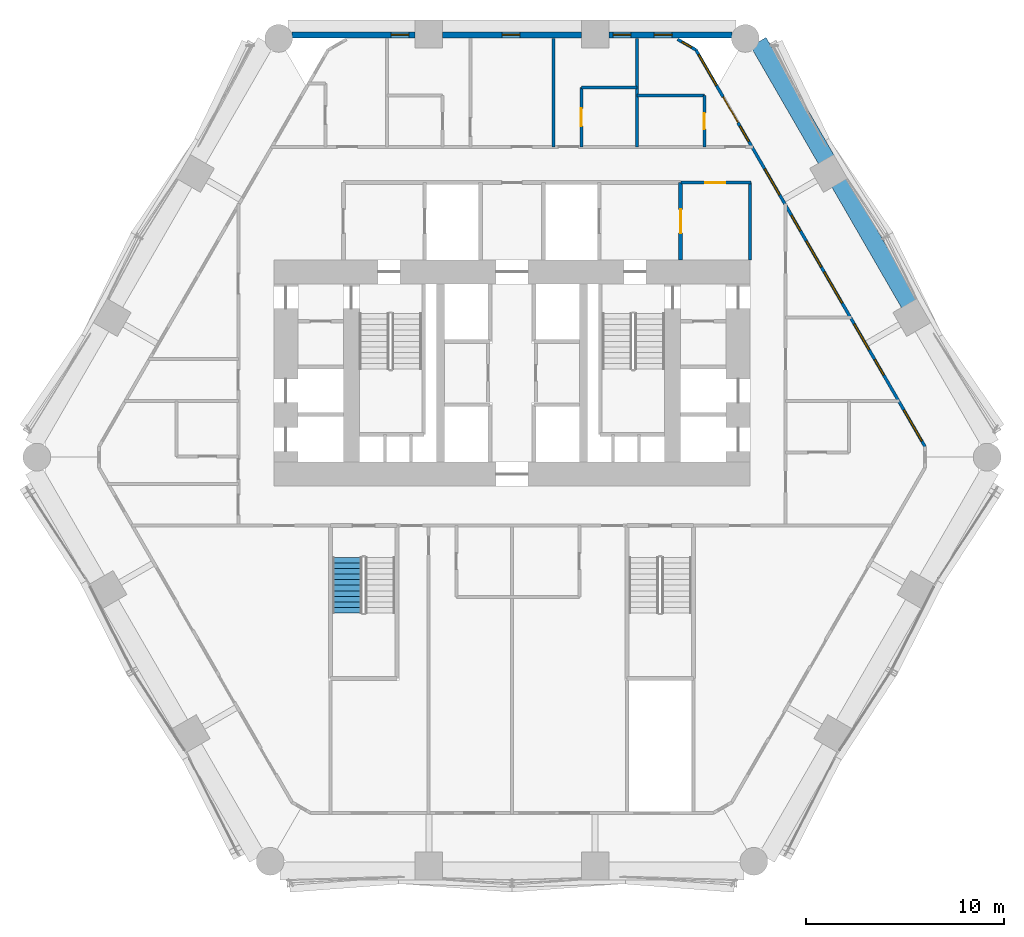
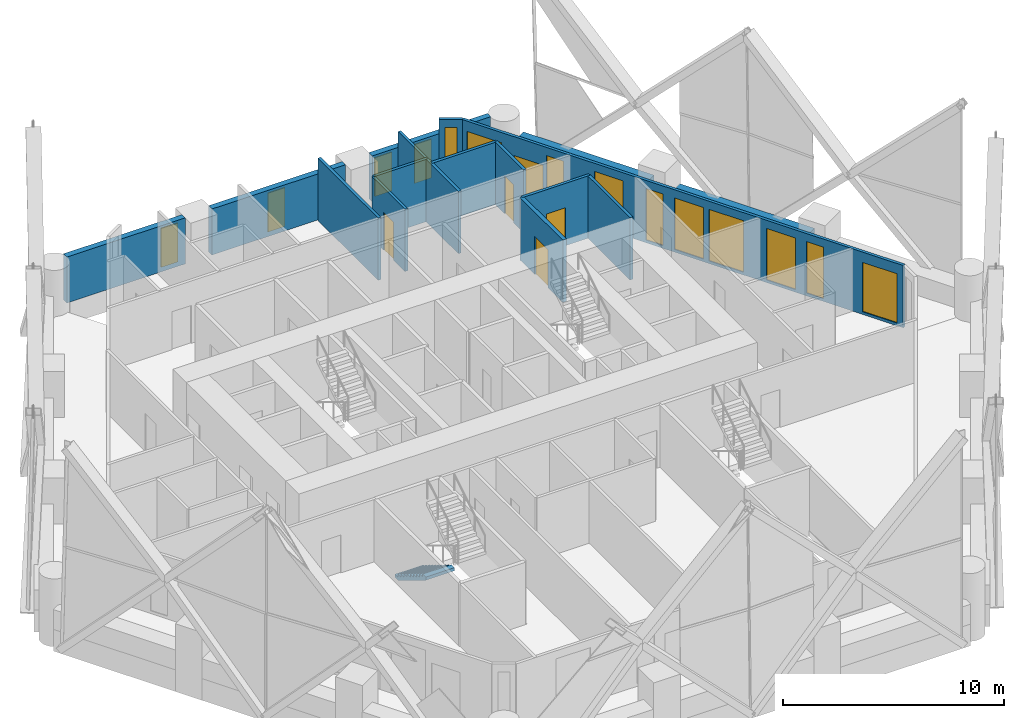
# One storey, part 15 of 22: 16 walls, 14 windows, 5 doors, 1 stair flight, 19 openings, 1 element without a shape of its own.
"""IFC4 building model written with IfcOpenShell, lengths in metres."""

from ifc_helpers import new_model, si_unit, direction, frame, frame_2d, origin, place, context, subcontext, project, spatial, polyline, rectangle, outline, extrude, material, layer, layer_set, type_object, element, fill, aggregate, save


model = new_model("IFC4")

# Units and contexts
model_context = context("Model", 3, precision=1e-05, world=origin(), true_north=direction((0.0, 1.0)))
body_context = subcontext(model_context, "Body", "Model", "MODEL_VIEW")
ifc_project = project(units=[si_unit("LENGTHUNIT", "METRE"), si_unit("AREAUNIT", "SQUARE_METRE"), si_unit("VOLUMEUNIT", "CUBIC_METRE"), si_unit("PLANEANGLEUNIT", "RADIAN"), si_unit("MASSUNIT", "GRAM", prefix="KILO")], contexts=[model_context])

# Site, building, storey
site_placement = place(None, origin())
site = spatial("IfcSite", under=ifc_project, at=site_placement, CompositionType="ELEMENT")
building_placement = place(site_placement, origin())
building = spatial("IfcBuilding", under=site, at=building_placement, Name="Ostrander Bayou Hotel Tower", CompositionType="ELEMENT")
storey_placement = place(building_placement, frame((0.0, 0.0, 46.75)))
storey = spatial("IfcBuildingStorey", under=building, at=storey_placement, Name="L11", CompositionType="ELEMENT", Elevation=46.75)

# Wall, openings, door, windows
ifc_material_1 = material(Name="Aluminium framed insulated wall", Category="aluminium")
ifc_layer_1 = layer(ifc_material_1, 0.14990234375)
ifc_layer_set_1 = layer_set([ifc_layer_1], Name="GW1 glass-line wall 150 mm")
wall_type_1 = type_object("IfcWallType", Name="GW1 glass-line wall 150 mm", PredefinedType="SOLIDWALL", material=ifc_layer_set_1)
wall_1_placement = place(storey_placement, frame((20.826171875, 0.287109375, 0.0), z_axis=(0.0, 0.0, 1.0), x_axis=(-0.500006057782, 0.866021906294, 0.0)))
wall_1 = element("IfcWall", 1, at=wall_1_placement, inside=storey, type_object=wall_type_1, Name="GW1 L11 NE 1", PredefinedType="SOLIDWALL", context=body_context, shape_type="SweptSolid", body=[
    extrude(rectangle(XDim=23.100341796875, YDim=0.14990234375, at=frame_2d((11.55029296875, 0.0))), origin(), (0.0, 0.0, 1.0), 3.449951171875),
])
opening_1_placement = place(wall_1_placement, frame((4.16455078125, 0.0, 0.14990234375)))
opening_1 = element("IfcOpeningElement", 2, at=opening_1_placement, cuts=wall_1, Name="Opening W15", PredefinedType="OPENING", context=body_context, shape_type="SweptSolid", body=[
    extrude(rectangle(XDim=0.89990234375, YDim=2.85009765625, at=frame_2d((0.449951171875, 1.425048828125))), frame((0.0, 0.074951171875, 0.0), z_axis=(0.0, -1.0, 0.0), x_axis=(1.0, 0.0, 0.0)), (0.0, 0.0, 1.0), 0.14990234375),
])
opening_2_placement = place(wall_1_placement, frame((5.64453125, 0.0, 0.14990234375)))
opening_2 = element("IfcOpeningElement", 3, at=opening_2_placement, cuts=wall_1, Name="Opening W11", PredefinedType="OPENING", context=body_context, shape_type="SweptSolid", body=[
    extrude(rectangle(XDim=1.5, YDim=2.85009765625, at=frame_2d((0.75, 1.425048828125))), frame((0.0, 0.074951171875, 0.0), z_axis=(0.0, -1.0, 0.0), x_axis=(1.0, 0.0, 0.0)), (0.0, 0.0, 1.0), 0.14990234375),
])
opening_3_placement = place(wall_1_placement, frame((8.364501953125, 0.0, 0.14990234375)))
opening_3 = element("IfcOpeningElement", 4, at=opening_3_placement, cuts=wall_1, Name="Opening W1", PredefinedType="OPENING", context=body_context, shape_type="SweptSolid", body=[
    extrude(rectangle(XDim=1.800048828125, YDim=2.85009765625, at=frame_2d((0.89990234375, 1.425048828125))), frame((0.0, 0.074951171875, 0.0), z_axis=(0.0, -1.0, 0.0), x_axis=(1.0, 0.0, 0.0)), (0.0, 0.0, 1.0), 0.14990234375),
])
opening_4_placement = place(wall_1_placement, frame((10.464599609375, 0.0, 0.14990234375)))
opening_4 = element("IfcOpeningElement", 5, at=opening_4_placement, cuts=wall_1, Name="Opening W11", PredefinedType="OPENING", context=body_context, shape_type="SweptSolid", body=[
    extrude(rectangle(XDim=1.5, YDim=2.85009765625, at=frame_2d((0.75, 1.425048828125))), frame((0.0, 0.074951171875, 0.0), z_axis=(0.0, -1.0, 0.0), x_axis=(1.0, 0.0, 0.0)), (0.0, 0.0, 1.0), 0.14990234375),
])
opening_5_placement = place(wall_1_placement, frame((12.564453125, 0.0, 0.14990234375)))
opening_5 = element("IfcOpeningElement", 6, at=opening_5_placement, cuts=wall_1, Name="Opening W15", PredefinedType="OPENING", context=body_context, shape_type="SweptSolid", body=[
    extrude(rectangle(XDim=0.89990234375, YDim=2.85009765625, at=frame_2d((0.449951171875, 1.425048828125))), frame((0.0, 0.074951171875, 0.0), z_axis=(0.0, -1.0, 0.0), x_axis=(1.0, 0.0, 0.0)), (0.0, 0.0, 1.0), 0.14990234375),
])
opening_6_placement = place(wall_1_placement, frame((14.66455078125, 0.0, 0.14990234375)))
opening_6 = element("IfcOpeningElement", 7, at=opening_6_placement, cuts=wall_1, Name="Opening W11", PredefinedType="OPENING", context=body_context, shape_type="SweptSolid", body=[
    extrude(rectangle(XDim=1.5, YDim=2.85009765625, at=frame_2d((0.75, 1.425048828125))), frame((0.0, 0.074951171875, 0.0), z_axis=(0.0, -1.0, 0.0), x_axis=(1.0, 0.0, 0.0)), (0.0, 0.0, 1.0), 0.14990234375),
])
opening_7_placement = place(wall_1_placement, frame((17.77490234375, 0.0, 0.14990234375)))
opening_7 = element("IfcOpeningElement", 8, at=opening_7_placement, cuts=wall_1, Name="Opening W15", PredefinedType="OPENING", context=body_context, shape_type="SweptSolid", body=[
    extrude(rectangle(XDim=0.89990234375, YDim=2.85009765625, at=frame_2d((0.449951171875, 1.425048828125))), frame((0.0, 0.074951171875, 0.0), z_axis=(0.0, -1.0, 0.0), x_axis=(1.0, 0.0, 0.0)), (0.0, 0.0, 1.0), 0.14990234375),
])
opening_8_placement = place(wall_1_placement, frame((18.864501953125, 0.0, 0.0)))
opening_8 = element("IfcOpeningElement", 9, at=opening_8_placement, cuts=wall_1, Name="Opening T09-808", PredefinedType="OPENING", context=body_context, shape_type="SweptSolid", body=[
    extrude(rectangle(XDim=1.5, YDim=2.39990234375, at=frame_2d((0.75, 1.199951171875))), frame((0.0, 0.074951171875, 0.0), z_axis=(0.0, -1.0, 0.0), x_axis=(1.0, 0.0, 0.0)), (0.0, 0.0, 1.0), 0.14990234375),
])
opening_9_placement = place(wall_1_placement, frame((0.322265625, 0.0, 0.14990234375)))
opening_9 = element("IfcOpeningElement", 10, at=opening_9_placement, cuts=wall_1, Name="Opening W1", PredefinedType="OPENING", context=body_context, shape_type="SweptSolid", body=[
    extrude(rectangle(XDim=1.800048828125, YDim=2.72998046875, at=frame_2d((0.89990234375, 1.364990234375))), frame((0.0, 0.074951171875, 0.0), z_axis=(0.0, -1.0, 0.0), x_axis=(1.0, 0.0, 0.0)), (0.0, 0.0, 1.0), 0.14990234375),
])
opening_10_placement = place(wall_1_placement, frame((21.032470703125, 0.0, 0.14990234375)))
opening_10 = element("IfcOpeningElement", 11, at=opening_10_placement, cuts=wall_1, Name="Opening W1", PredefinedType="OPENING", context=body_context, shape_type="SweptSolid", body=[
    extrude(rectangle(XDim=1.800048828125, YDim=2.72998046875, at=frame_2d((0.89990234375, 1.364990234375))), frame((0.0, 0.074951171875, 0.0), z_axis=(0.0, -1.0, 0.0), x_axis=(1.0, 0.0, 0.0)), (0.0, 0.0, 1.0), 0.14990234375),
])
ifc_material_2 = material(Name="Aluminium and clear glass", Category="aluminium")
door_type_1 = type_object("IfcDoorType", Name="SD1 sliding glass door 1500 mm, zone 1", OperationType="SLIDING_TO_LEFT", PredefinedType="DOOR", material=ifc_material_2)
door_1_placement = place(opening_8_placement, origin())
door_1 = element("IfcDoor", 12, at=door_1_placement, inside=storey, type_object=door_type_1, Name="SD1 L11 NE 5", OperationType="SLIDING_TO_LEFT", OverallHeight=2.39990234375, OverallWidth=1.5, PredefinedType="DOOR", context=body_context, shape_type="SweptSolid", body=[
    extrude(rectangle(XDim=1.5, YDim=2.39990234375, at=frame_2d((0.75, 1.199951171875))), frame((0.0, 0.02490234375, 0.0), z_axis=(0.0, -1.0, 0.0), x_axis=(1.0, 0.0, 0.0)), (0.0, 0.0, 1.0), 0.050048828125),
])
fill(opening_8, door_1)
ifc_material_3 = material(Name="Aluminium and clear glass", Category="aluminium")
window_type_1 = type_object("IfcWindowType", Name="W1 fixed window 1800 mm, zone 1", PartitioningType="SINGLE_PANEL", PredefinedType="WINDOW", material=ifc_material_3)
window_1_placement = place(opening_3_placement, origin())
window_1 = element("IfcWindow", 13, at=window_1_placement, inside=storey, type_object=window_type_1, Name="W1 L11 NE 3", OverallHeight=2.85009765625, OverallWidth=1.800048828125, PartitioningType="SINGLE_PANEL", PredefinedType="WINDOW", context=body_context, shape_type="SweptSolid", body=[
    extrude(rectangle(XDim=1.800048828125, YDim=2.85009765625, at=frame_2d((0.89990234375, 1.425048828125))), frame((0.0, 0.030029296875, 0.0), z_axis=(0.0, -1.0, 0.0), x_axis=(1.0, 0.0, 0.0)), (0.0, 0.0, 1.0), 0.06005859375),
])
fill(opening_3, window_1)
window_2_placement = place(opening_9_placement, origin())
window_2 = element("IfcWindow", 14, at=window_2_placement, inside=storey, type_object=window_type_1, Name="W1 L11 NE E11", OverallHeight=2.72998046875, OverallWidth=1.800048828125, PartitioningType="SINGLE_PANEL", PredefinedType="WINDOW", context=body_context, shape_type="SweptSolid", body=[
    extrude(rectangle(XDim=1.800048828125, YDim=2.72998046875, at=frame_2d((0.89990234375, 1.364990234375))), frame((0.0, 0.030029296875, 0.0), z_axis=(0.0, -1.0, 0.0), x_axis=(1.0, 0.0, 0.0)), (0.0, 0.0, 1.0), 0.06005859375),
])
fill(opening_9, window_2)
window_3_placement = place(opening_10_placement, origin())
window_3 = element("IfcWindow", 15, at=window_3_placement, inside=storey, type_object=window_type_1, Name="W1 L11 NE E21", OverallHeight=2.72998046875, OverallWidth=1.800048828125, PartitioningType="SINGLE_PANEL", PredefinedType="WINDOW", context=body_context, shape_type="SweptSolid", body=[
    extrude(rectangle(XDim=1.800048828125, YDim=2.72998046875, at=frame_2d((0.89990234375, 1.364990234375))), frame((0.0, 0.030029296875, 0.0), z_axis=(0.0, -1.0, 0.0), x_axis=(1.0, 0.0, 0.0)), (0.0, 0.0, 1.0), 0.06005859375),
])
fill(opening_10, window_3)
ifc_material_4 = material(Name="Aluminium and clear glass", Category="aluminium")
window_type_2 = type_object("IfcWindowType", Name="W11 fixed window 1500 mm, bath bay, zone 1", PartitioningType="SINGLE_PANEL", PredefinedType="WINDOW", material=ifc_material_4)
window_4_placement = place(opening_2_placement, origin())
window_4 = element("IfcWindow", 16, at=window_4_placement, inside=storey, type_object=window_type_2, Name="W11 L11 NE 2", OverallHeight=2.85009765625, OverallWidth=1.5, PartitioningType="SINGLE_PANEL", PredefinedType="WINDOW", context=body_context, shape_type="SweptSolid", body=[
    extrude(rectangle(XDim=1.5, YDim=2.85009765625, at=frame_2d((0.75, 1.425048828125))), frame((0.0, 0.030029296875, 0.0), z_axis=(0.0, -1.0, 0.0), x_axis=(1.0, 0.0, 0.0)), (0.0, 0.0, 1.0), 0.06005859375),
])
fill(opening_2, window_4)
window_5_placement = place(opening_4_placement, origin())
window_5 = element("IfcWindow", 17, at=window_5_placement, inside=storey, type_object=window_type_2, Name="W11 L11 NE 3", OverallHeight=2.85009765625, OverallWidth=1.5, PartitioningType="SINGLE_PANEL", PredefinedType="WINDOW", context=body_context, shape_type="SweptSolid", body=[
    extrude(rectangle(XDim=1.5, YDim=2.85009765625, at=frame_2d((0.75, 1.425048828125))), frame((0.0, 0.030029296875, 0.0), z_axis=(0.0, -1.0, 0.0), x_axis=(1.0, 0.0, 0.0)), (0.0, 0.0, 1.0), 0.06005859375),
])
fill(opening_4, window_5)
window_6_placement = place(opening_6_placement, origin())
window_6 = element("IfcWindow", 18, at=window_6_placement, inside=storey, type_object=window_type_2, Name="W11 L11 NE 4", OverallHeight=2.85009765625, OverallWidth=1.5, PartitioningType="SINGLE_PANEL", PredefinedType="WINDOW", context=body_context, shape_type="SweptSolid", body=[
    extrude(rectangle(XDim=1.5, YDim=2.85009765625, at=frame_2d((0.75, 1.425048828125))), frame((0.0, 0.030029296875, 0.0), z_axis=(0.0, -1.0, 0.0), x_axis=(1.0, 0.0, 0.0)), (0.0, 0.0, 1.0), 0.06005859375),
])
fill(opening_6, window_6)
ifc_material_5 = material(Name="Aluminium and clear glass", Category="aluminium")
window_type_3 = type_object("IfcWindowType", Name="W15 window 900 mm, zone 1", PartitioningType="SINGLE_PANEL", PredefinedType="WINDOW", material=ifc_material_5)
window_7_placement = place(opening_1_placement, origin())
window_7 = element("IfcWindow", 19, at=window_7_placement, inside=storey, type_object=window_type_3, Name="W15 L11 NE 2", OverallHeight=2.85009765625, OverallWidth=0.89990234375, PartitioningType="SINGLE_PANEL", PredefinedType="WINDOW", context=body_context, shape_type="SweptSolid", body=[
    extrude(rectangle(XDim=0.89990234375, YDim=2.85009765625, at=frame_2d((0.449951171875, 1.425048828125))), frame((0.0, 0.030029296875, 0.0), z_axis=(0.0, -1.0, 0.0), x_axis=(1.0, 0.0, 0.0)), (0.0, 0.0, 1.0), 0.06005859375),
])
fill(opening_1, window_7)
window_8_placement = place(opening_5_placement, origin())
window_8 = element("IfcWindow", 20, at=window_8_placement, inside=storey, type_object=window_type_3, Name="W15 L11 NE 4", OverallHeight=2.85009765625, OverallWidth=0.89990234375, PartitioningType="SINGLE_PANEL", PredefinedType="WINDOW", context=body_context, shape_type="SweptSolid", body=[
    extrude(rectangle(XDim=0.89990234375, YDim=2.85009765625, at=frame_2d((0.449951171875, 1.425048828125))), frame((0.0, 0.030029296875, 0.0), z_axis=(0.0, -1.0, 0.0), x_axis=(1.0, 0.0, 0.0)), (0.0, 0.0, 1.0), 0.06005859375),
])
fill(opening_5, window_8)
window_9_placement = place(opening_7_placement, origin())
window_9 = element("IfcWindow", 21, at=window_9_placement, inside=storey, type_object=window_type_3, Name="W15 L11 NE 5", OverallHeight=2.85009765625, OverallWidth=0.89990234375, PartitioningType="SINGLE_PANEL", PredefinedType="WINDOW", context=body_context, shape_type="SweptSolid", body=[
    extrude(rectangle(XDim=0.89990234375, YDim=2.85009765625, at=frame_2d((0.449951171875, 1.425048828125))), frame((0.0, 0.030029296875, 0.0), z_axis=(0.0, -1.0, 0.0), x_axis=(1.0, 0.0, 0.0)), (0.0, 0.0, 1.0), 0.06005859375),
])
fill(opening_7, window_9)

# Wall, opening, window
wall_2_placement = place(storey_placement, frame((9.27587890625, 20.29248046875, 0.0), z_axis=(0.0, 0.0, 1.0), x_axis=(-0.865990848561, 0.500059846627, 0.0)))
wall_2 = element("IfcWall", 22, at=wall_2_placement, inside=storey, type_object=wall_type_1, Name="GW1 L11 corner 6", PredefinedType="SOLIDWALL", context=body_context, shape_type="SweptSolid", body=[
    extrude(rectangle(XDim=1.064697265625, YDim=0.14990234375, at=frame_2d((0.5322265625, 0.0))), origin(), (0.0, 0.0, 1.0), 3.449951171875),
])
opening_11_placement = place(wall_2_placement, frame((0.257568359375, 0.0, 0.14990234375)))
opening_11 = element("IfcOpeningElement", 23, at=opening_11_placement, cuts=wall_2, Name="Opening W19", PredefinedType="OPENING", context=body_context, shape_type="SweptSolid", body=[
    extrude(rectangle(XDim=0.550048828125, YDim=2.85009765625, at=frame_2d((0.27490234375, 1.425048828125))), frame((0.0, 0.074951171875, 0.0), z_axis=(0.0, -1.0, 0.0), x_axis=(1.0, 0.0, 0.0)), (0.0, 0.0, 1.0), 0.14990234375),
])
ifc_material_6 = material(Name="Aluminium and clear glass", Category="aluminium")
window_type_4 = type_object("IfcWindowType", Name="W19 corner window 550 mm", PartitioningType="SINGLE_PANEL", PredefinedType="WINDOW", material=ifc_material_6)
window_10_placement = place(opening_11_placement, origin())
window_10 = element("IfcWindow", 24, at=window_10_placement, inside=storey, type_object=window_type_4, Name="W19 L11 corner 6", OverallHeight=2.85009765625, OverallWidth=0.550048828125, PartitioningType="SINGLE_PANEL", PredefinedType="WINDOW", context=body_context, shape_type="SweptSolid", body=[
    extrude(rectangle(XDim=0.550048828125, YDim=2.85009765625, at=frame_2d((0.27490234375, 1.425048828125))), frame((0.0, 0.030029296875, 0.0), z_axis=(0.0, -1.0, 0.0), x_axis=(1.0, 0.0, 0.0)), (0.0, 0.0, 1.0), 0.06005859375),
])
fill(opening_11, window_10)

# Wall, openings, windows
ifc_material_7 = material(Name="Reconstituted stone on masonry backing", Category="masonry")
ifc_layer_2 = layer(ifc_material_7, 0.300048828125)
ifc_layer_set_2 = layer_set([ifc_layer_2], Name="NW1 north stone wall 300 mm")
wall_type_2 = type_object("IfcWallType", Name="NW1 north stone wall 300 mm", PredefinedType="SOLIDWALL", material=ifc_layer_set_2)
wall_3_placement = place(storey_placement, frame((11.093017578125, 21.050048828125, 0.0), z_axis=(0.0, 0.0, 1.0), x_axis=(-1.0, 0.0, 0.0)))
wall_3 = element("IfcWall", 25, at=wall_3_placement, inside=storey, type_object=wall_type_2, Name="NW1 L11 N-1", PredefinedType="SOLIDWALL", context=body_context, shape_type="SweptSolid", body=[
    extrude(rectangle(XDim=6.197509765625, YDim=0.300048828125, at=frame_2d((3.0986328125, 0.0))), origin(), (0.0, 0.0, 1.0), 2.550048828125),
])
opening_12_placement = place(wall_3_placement, frame((3.020263671875, 0.0, 0.14990234375)))
opening_12 = element("IfcOpeningElement", 26, at=opening_12_placement, cuts=wall_3, Name="Opening W15", PredefinedType="OPENING", context=body_context, shape_type="SweptSolid", body=[
    extrude(rectangle(XDim=0.89990234375, YDim=2.14990234375, at=frame_2d((0.449951171875, 1.074951171875))), frame((0.0, 0.14990234375, 0.0), z_axis=(0.0, -1.0, 0.0), x_axis=(1.0, 0.0, 0.0)), (0.0, 0.0, 1.0), 0.300048828125),
])
opening_13_placement = place(wall_3_placement, frame((5.093017578125, 0.0, 0.14990234375)))
opening_13 = element("IfcOpeningElement", 27, at=opening_13_placement, cuts=wall_3, Name="Opening W15", PredefinedType="OPENING", context=body_context, shape_type="SweptSolid", body=[
    extrude(rectangle(XDim=0.89990234375, YDim=2.14990234375, at=frame_2d((0.449951171875, 1.074951171875))), frame((0.0, 0.14990234375, 0.0), z_axis=(0.0, -1.0, 0.0), x_axis=(1.0, 0.0, 0.0)), (0.0, 0.0, 1.0), 0.300048828125),
])
window_11_placement = place(opening_12_placement, origin())
window_11 = element("IfcWindow", 28, at=window_11_placement, inside=storey, type_object=window_type_3, Name="W15 L11 north N-1", OverallHeight=2.14990234375, OverallWidth=0.89990234375, PartitioningType="SINGLE_PANEL", PredefinedType="WINDOW", context=body_context, shape_type="SweptSolid", body=[
    extrude(rectangle(XDim=0.89990234375, YDim=2.14990234375, at=frame_2d((0.449951171875, 1.074951171875))), frame((0.0, 0.030029296875, 0.0), z_axis=(0.0, -1.0, 0.0), x_axis=(1.0, 0.0, 0.0)), (0.0, 0.0, 1.0), 0.06005859375),
])
fill(opening_12, window_11)
window_12_placement = place(opening_13_placement, origin())
window_12 = element("IfcWindow", 29, at=window_12_placement, inside=storey, type_object=window_type_3, Name="W15 L11 north N-1-2", OverallHeight=2.14990234375, OverallWidth=0.89990234375, PartitioningType="SINGLE_PANEL", PredefinedType="WINDOW", context=body_context, shape_type="SweptSolid", body=[
    extrude(rectangle(XDim=0.89990234375, YDim=2.14990234375, at=frame_2d((0.449951171875, 1.074951171875))), frame((0.0, 0.030029296875, 0.0), z_axis=(0.0, -1.0, 0.0), x_axis=(1.0, 0.0, 0.0)), (0.0, 0.0, 1.0), 0.06005859375),
])
fill(opening_13, window_12)

# Wall, opening, window
wall_4_placement = place(storey_placement, frame((3.495361328125, 21.050048828125, 0.0), z_axis=(0.0, 0.0, 1.0), x_axis=(-1.0, 0.0, 0.0)))
wall_4 = element("IfcWall", 30, at=wall_4_placement, inside=storey, type_object=wall_type_2, Name="NW1 L11 N-2", PredefinedType="SOLIDWALL", context=body_context, shape_type="SweptSolid", body=[
    extrude(rectangle(XDim=6.99072265625, YDim=0.300048828125, at=frame_2d((3.495361328125, 0.0))), origin(), (0.0, 0.0, 1.0), 2.550048828125),
])
opening_14_placement = place(wall_4_placement, frame((3.095458984375, 0.0, 0.14990234375)))
opening_14 = element("IfcOpeningElement", 31, at=opening_14_placement, cuts=wall_4, Name="Opening W15", PredefinedType="OPENING", context=body_context, shape_type="SweptSolid", body=[
    extrude(rectangle(XDim=0.89990234375, YDim=2.14990234375, at=frame_2d((0.449951171875, 1.074951171875))), frame((0.0, 0.14990234375, 0.0), z_axis=(0.0, -1.0, 0.0), x_axis=(1.0, 0.0, 0.0)), (0.0, 0.0, 1.0), 0.300048828125),
])
window_13_placement = place(opening_14_placement, origin())
window_13 = element("IfcWindow", 32, at=window_13_placement, inside=storey, type_object=window_type_3, Name="W15 L11 north N-2", OverallHeight=2.14990234375, OverallWidth=0.89990234375, PartitioningType="SINGLE_PANEL", PredefinedType="WINDOW", context=body_context, shape_type="SweptSolid", body=[
    extrude(rectangle(XDim=0.89990234375, YDim=2.14990234375, at=frame_2d((0.449951171875, 1.074951171875))), frame((0.0, 0.030029296875, 0.0), z_axis=(0.0, -1.0, 0.0), x_axis=(1.0, 0.0, 0.0)), (0.0, 0.0, 1.0), 0.06005859375),
])
fill(opening_14, window_13)

wall_5_placement = place(storey_placement, frame((-4.8955078125, 21.050048828125, 0.0), z_axis=(0.0, 0.0, 1.0), x_axis=(-1.0, 0.0, 0.0)))
wall_5 = element("IfcWall", 33, at=wall_5_placement, inside=storey, type_object=wall_type_2, Name="NW1 L11 N-3", PredefinedType="SOLIDWALL", context=body_context, shape_type="SweptSolid", body=[
    extrude(rectangle(XDim=6.197509765625, YDim=0.300048828125, at=frame_2d((3.0986328125, 0.0))), origin(), (0.0, 0.0, 1.0), 2.550048828125),
])
opening_15_placement = place(wall_5_placement, frame((0.300048828125, 0.0, 0.14990234375)))
opening_15 = element("IfcOpeningElement", 34, at=opening_15_placement, cuts=wall_5, Name="Opening W15", PredefinedType="OPENING", context=body_context, shape_type="SweptSolid", body=[
    extrude(rectangle(XDim=0.89990234375, YDim=2.14990234375, at=frame_2d((0.449951171875, 1.074951171875))), frame((0.0, 0.14990234375, 0.0), z_axis=(0.0, -1.0, 0.0), x_axis=(1.0, 0.0, 0.0)), (0.0, 0.0, 1.0), 0.300048828125),
])
window_14_placement = place(opening_15_placement, origin())
window_14 = element("IfcWindow", 35, at=window_14_placement, inside=storey, type_object=window_type_3, Name="W15 L11 north N-3", OverallHeight=2.14990234375, OverallWidth=0.89990234375, PartitioningType="SINGLE_PANEL", PredefinedType="WINDOW", context=body_context, shape_type="SweptSolid", body=[
    extrude(rectangle(XDim=0.89990234375, YDim=2.14990234375, at=frame_2d((0.449951171875, 1.074951171875))), frame((0.0, 0.030029296875, 0.0), z_axis=(0.0, -1.0, 0.0), x_axis=(1.0, 0.0, 0.0)), (0.0, 0.0, 1.0), 0.06005859375),
])
fill(opening_15, window_14)

# Walls
ifc_material_8 = material(Name="Concrete f'c 40 MPa", Category="concrete")
ifc_layer_3 = layer(ifc_material_8, 0.89990234375)
ifc_layer_set_3 = layer_set([ifc_layer_3], Name="PA1 stone-faced parapet 900 mm")
wall_type_3 = type_object("IfcWallType", Name="PA1 stone-faced parapet 900 mm", PredefinedType="PARAPET", material=ifc_layer_set_3)
wall_6_placement = place(storey_placement, frame((20.039794921875, 7.499267578125, 0.0), z_axis=(0.0, 0.0, 1.0), x_axis=(-0.499997206141, 0.866027016814, 0.0)))
element("IfcWall", 36, at=wall_6_placement, inside=storey, type_object=wall_type_3, Name="PA1 L11 NE-2", PredefinedType="PARAPET", context=body_context, shape_type="SweptSolid", body=[
    extrude(rectangle(XDim=7.05078125, YDim=0.89990234375, at=frame_2d((3.525390625, 0.0))), origin(), (0.0, 0.0, 1.0), 1.10009765625),
])
wall_7_placement = place(storey_placement, frame((15.84423828125, 14.765869140625, 0.0), z_axis=(0.0, 0.0, 1.0), x_axis=(-0.499994135611, 0.866028789565, 0.0)))
element("IfcWall", 37, at=wall_7_placement, inside=storey, type_object=wall_type_3, Name="PA1 L11 NE-3", PredefinedType="PARAPET", context=body_context, shape_type="SweptSolid", body=[
    extrude(rectangle(XDim=6.84521484375, YDim=0.89990234375, at=frame_2d((3.422607421875, 0.0))), origin(), (0.0, 0.0, 1.0), 1.10009765625),
])

# Wall, opening, door
ifc_material_9 = material(Name="Masonry block", Category="masonry")
ifc_layer_4 = layer(ifc_material_9, 0.199951171875)
ifc_layer_set_4 = layer_set([ifc_layer_4], Name="PT5 stair enclosure wall 200 mm masonry, 2 hour")
wall_type_4 = type_object("IfcWallType", Name="PT5 stair enclosure wall 200 mm masonry, 2 hour", PredefinedType="PARTITIONING", material=ifc_layer_set_4)
wall_8_placement = place(storey_placement, frame((8.5, 9.699951171875, 0.0), z_axis=(0.0, 0.0, 1.0), x_axis=(0.0, 1.0, 0.0)))
wall_8 = element("IfcWall", 38, at=wall_8_placement, inside=storey, type_object=wall_type_4, Name="cs:L11:029", PredefinedType="PARTITIONING", context=body_context, shape_type="SweptSolid", body=[
    extrude(rectangle(XDim=3.900146484375, YDim=0.199951171875, at=frame_2d((1.9501953125, 0.0))), origin(), (0.0, 0.0, 1.0), 3.449951171875),
])
opening_16_placement = place(wall_8_placement, frame((1.35009765625, 0.0, 0.0)))
opening_16 = element("IfcOpeningElement", 39, at=opening_16_placement, cuts=wall_8, Name="Opening T09-012", PredefinedType="OPENING", context=body_context, shape_type="SweptSolid", body=[
    extrude(rectangle(XDim=1.199951171875, YDim=2.10009765625, at=frame_2d((0.60009765625, 1.050048828125))), frame((0.0, 0.10009765625, 0.0), z_axis=(0.0, -1.0, 0.0), x_axis=(1.0, 0.0, 0.0)), (0.0, 0.0, 1.0), 0.199951171875),
])
ifc_material_10 = material(Name="Timber door leaf", Category="wood")
door_type_2 = type_object("IfcDoorType", Name="D7 lobby door 1200 x 2100 mm, 1 hour", OperationType="SINGLE_SWING_LEFT", PredefinedType="DOOR", material=ifc_material_10)
door_2_placement = place(opening_16_placement, origin())
door_2 = element("IfcDoor", 40, at=door_2_placement, inside=storey, type_object=door_type_2, Name="dr:L11:012", OperationType="SINGLE_SWING_LEFT", OverallHeight=2.10009765625, OverallWidth=1.199951171875, PredefinedType="DOOR", context=body_context, shape_type="SweptSolid", body=[
    extrude(rectangle(XDim=1.199951171875, YDim=2.10009765625, at=frame_2d((0.60009765625, 1.050048828125))), frame((0.0, 0.02490234375, 0.0), z_axis=(0.0, -1.0, 0.0), x_axis=(1.0, 0.0, 0.0)), (0.0, 0.0, 1.0), 0.050048828125),
])
fill(opening_16, door_2)

ifc_material_11 = material(Name="Gypsum board partition", Category="finish")
ifc_layer_5 = layer(ifc_material_11, 0.14990234375)
ifc_layer_set_5 = layer_set([ifc_layer_5], Name="PT8 service band wall 150 mm, 1 hour")
wall_type_5 = type_object("IfcWallType", Name="PT8 service band wall 150 mm, 1 hour", PredefinedType="PARTITIONING", material=ifc_layer_set_5)
wall_9_placement = place(storey_placement, frame((8.510009765625, 13.60009765625, 0.0), z_axis=(0.0, 0.0, 1.0), x_axis=(1.0, 0.0, 0.0)))
wall_9 = element("IfcWall", 41, at=wall_9_placement, inside=storey, type_object=wall_type_5, Name="gw:L11:012", PredefinedType="PARTITIONING", context=body_context, shape_type="SweptSolid", body=[
    extrude(rectangle(XDim=3.530029296875, YDim=0.14990234375, at=frame_2d((1.76513671875, 0.0))), origin(), (0.0, 0.0, 1.0), 3.449951171875),
])
opening_17_placement = place(wall_9_placement, frame((1.239990234375, 0.0, 0.0)))
opening_17 = element("IfcOpeningElement", 42, at=opening_17_placement, cuts=wall_9, Name="Opening T09-425", PredefinedType="OPENING", context=body_context, shape_type="SweptSolid", body=[
    extrude(rectangle(XDim=1.0, YDim=2.10009765625, at=frame_2d((0.5, 1.050048828125))), frame((0.0, 0.074951171875, 0.0), z_axis=(0.0, -1.0, 0.0), x_axis=(1.0, 0.0, 0.0)), (0.0, 0.0, 1.0), 0.14990234375),
])
ifc_material_12 = material(Name="Timber door leaf", Category="wood")
door_type_3 = type_object("IfcDoorType", Name="D9 service door 1000 x 2100 mm, 30 minute", OperationType="SINGLE_SWING_LEFT", PredefinedType="DOOR", material=ifc_material_12)
door_3_placement = place(opening_17_placement, origin())
door_3 = element("IfcDoor", 43, at=door_3_placement, inside=storey, type_object=door_type_3, Name="dr:L11:425", OperationType="SINGLE_SWING_LEFT", OverallHeight=2.10009765625, OverallWidth=1.0, PredefinedType="DOOR", context=body_context, shape_type="SweptSolid", body=[
    extrude(rectangle(XDim=1.0, YDim=2.10009765625, at=frame_2d((0.5, 1.050048828125))), frame((0.0, 0.02490234375, 0.0), z_axis=(0.0, -1.0, 0.0), x_axis=(1.0, 0.0, 0.0)), (0.0, 0.0, 1.0), 0.050048828125),
])
fill(opening_17, door_3)

# Walls
wall_10_placement = place(storey_placement, frame((6.300048828125, 18.0, 0.0), z_axis=(0.0, 0.0, 1.0), x_axis=(1.0, 0.0, 0.0)))
element("IfcWall", 44, at=wall_10_placement, inside=storey, type_object=wall_type_5, Name="gw:L11:015", PredefinedType="PARTITIONING", context=body_context, shape_type="SweptSolid", body=[
    extrude(rectangle(XDim=3.39990234375, YDim=0.14990234375, at=frame_2d((1.699951171875, 0.0))), origin(), (0.0, 0.0, 1.0), 3.449951171875),
])
wall_11_placement = place(storey_placement, frame((3.5, 18.39990234375, 0.0), z_axis=(0.0, 0.0, 1.0), x_axis=(1.0, 0.0, 0.0)))
element("IfcWall", 45, at=wall_11_placement, inside=storey, type_object=wall_type_5, Name="gw:L11:016", PredefinedType="PARTITIONING", context=body_context, shape_type="SweptSolid", body=[
    extrude(rectangle(XDim=2.800048828125, YDim=0.14990234375, at=frame_2d((1.39990234375, 0.0))), origin(), (0.0, 0.0, 1.0), 3.449951171875),
])
wall_12_placement = place(storey_placement, frame((12.0, 9.7099609375, 0.0), z_axis=(0.0, 0.0, 1.0), x_axis=(0.0, 1.0, 0.0)))
element("IfcWall", 46, at=wall_12_placement, inside=storey, type_object=wall_type_5, Name="gw:L11:020", PredefinedType="PARTITIONING", context=body_context, shape_type="SweptSolid", body=[
    extrude(rectangle(XDim=3.89013671875, YDim=0.14990234375, at=frame_2d((1.945068359375, 0.0))), origin(), (0.0, 0.0, 1.0), 3.449951171875),
])

# Wall, opening, door
wall_13_placement = place(storey_placement, frame((9.699951171875, 15.39990234375, 0.0), z_axis=(0.0, 0.0, 1.0), x_axis=(0.0, 1.0, 0.0)))
wall_13 = element("IfcWall", 47, at=wall_13_placement, inside=storey, type_object=wall_type_5, Name="gw:L11:021", PredefinedType="PARTITIONING", context=body_context, shape_type="SweptSolid", body=[
    extrude(rectangle(XDim=2.60009765625, YDim=0.14990234375, at=frame_2d((1.300048828125, 0.0))), origin(), (0.0, 0.0, 1.0), 3.449951171875),
])
opening_18_placement = place(wall_13_placement, frame((0.89990234375, 0.0, 0.0)))
opening_18 = element("IfcOpeningElement", 48, at=opening_18_placement, cuts=wall_13, Name="Opening T09-424", PredefinedType="OPENING", context=body_context, shape_type="SweptSolid", body=[
    extrude(rectangle(XDim=0.800048828125, YDim=2.10009765625, at=frame_2d((0.39990234375, 1.050048828125))), frame((0.0, 0.074951171875, 0.0), z_axis=(0.0, -1.0, 0.0), x_axis=(1.0, 0.0, 0.0)), (0.0, 0.0, 1.0), 0.14990234375),
])
ifc_material_13 = material(Name="Timber door leaf", Category="wood")
door_type_4 = type_object("IfcDoorType", Name="D2 bathroom door 800 x 2100 mm", OperationType="SINGLE_SWING_LEFT", PredefinedType="DOOR", material=ifc_material_13)
door_4_placement = place(opening_18_placement, origin())
door_4 = element("IfcDoor", 49, at=door_4_placement, inside=storey, type_object=door_type_4, Name="dr:L11:424", OperationType="SINGLE_SWING_LEFT", OverallHeight=2.10009765625, OverallWidth=0.800048828125, PredefinedType="DOOR", context=body_context, shape_type="SweptSolid", body=[
    extrude(rectangle(XDim=0.800048828125, YDim=2.10009765625, at=frame_2d((0.39990234375, 1.050048828125))), frame((0.0, 0.02490234375, 0.0), z_axis=(0.0, -1.0, 0.0), x_axis=(1.0, 0.0, 0.0)), (0.0, 0.0, 1.0), 0.050048828125),
])
fill(opening_18, door_4)

# Wall
wall_14_placement = place(storey_placement, frame((6.300048828125, 15.39990234375, 0.0), z_axis=(0.0, 0.0, 1.0), x_axis=(0.0, 1.0, 0.0)))
element("IfcWall", 50, at=wall_14_placement, inside=storey, type_object=wall_type_5, Name="gw:L11:023", PredefinedType="PARTITIONING", context=body_context, shape_type="SweptSolid", body=[
    extrude(rectangle(XDim=5.47021484375, YDim=0.14990234375, at=frame_2d((2.735107421875, 0.0))), origin(), (0.0, 0.0, 1.0), 3.449951171875),
])

# Wall, opening, door
wall_15_placement = place(storey_placement, frame((3.5, 15.39990234375, 0.0), z_axis=(0.0, 0.0, 1.0), x_axis=(0.0, 1.0, 0.0)))
wall_15 = element("IfcWall", 51, at=wall_15_placement, inside=storey, type_object=wall_type_5, Name="gw:L11:025", PredefinedType="PARTITIONING", context=body_context, shape_type="SweptSolid", body=[
    extrude(rectangle(XDim=3.0, YDim=0.14990234375, at=frame_2d((1.5, 0.0))), origin(), (0.0, 0.0, 1.0), 3.449951171875),
])
opening_19_placement = place(wall_15_placement, frame((1.050048828125, 0.0, 0.0)))
opening_19 = element("IfcOpeningElement", 52, at=opening_19_placement, cuts=wall_15, Name="Opening T09-422", PredefinedType="OPENING", context=body_context, shape_type="SweptSolid", body=[
    extrude(rectangle(XDim=0.89990234375, YDim=2.10009765625, at=frame_2d((0.449951171875, 1.050048828125))), frame((0.0, 0.074951171875, 0.0), z_axis=(0.0, -1.0, 0.0), x_axis=(1.0, 0.0, 0.0)), (0.0, 0.0, 1.0), 0.14990234375),
])
ifc_material_14 = material(Name="Timber door leaf", Category="wood")
door_type_5 = type_object("IfcDoorType", Name="D14 bathroom door 900 x 2100 mm", OperationType="SINGLE_SWING_LEFT", PredefinedType="DOOR", material=ifc_material_14)
door_5_placement = place(opening_19_placement, origin())
door_5 = element("IfcDoor", 53, at=door_5_placement, inside=storey, type_object=door_type_5, Name="dr:L11:422", OperationType="SINGLE_SWING_LEFT", OverallHeight=2.10009765625, OverallWidth=0.89990234375, PredefinedType="DOOR", context=body_context, shape_type="SweptSolid", body=[
    extrude(rectangle(XDim=0.89990234375, YDim=2.10009765625, at=frame_2d((0.449951171875, 1.050048828125))), frame((0.0, 0.02490234375, 0.0), z_axis=(0.0, -1.0, 0.0), x_axis=(1.0, 0.0, 0.0)), (0.0, 0.0, 1.0), 0.050048828125),
])
fill(opening_19, door_5)

# Wall
wall_16_placement = place(storey_placement, frame((2.10009765625, 15.39990234375, 0.0), z_axis=(0.0, 0.0, 1.0), x_axis=(0.0, 1.0, 0.0)))
element("IfcWall", 54, at=wall_16_placement, inside=storey, type_object=wall_type_5, Name="gw:L11:027", PredefinedType="PARTITIONING", context=body_context, shape_type="SweptSolid", body=[
    extrude(rectangle(XDim=5.47021484375, YDim=0.14990234375, at=frame_2d((2.735107421875, 0.0))), origin(), (0.0, 0.0, 1.0), 3.449951171875),
])

# Stair, stair flight
ifc_material_15 = material(Name="Concrete f'c 45 MPa", Category="concrete")
stair_type = type_object("IfcStairType", Name="ST1 exit stair 1500 mm f'c 45 MPa", PredefinedType="HALF_TURN_STAIR", material=ifc_material_15)
stair_placement = place(storey_placement, origin())
stair = element("IfcStair", 55, at=stair_placement, inside=storey, type_object=stair_type, Name="L11 exit stair D", PredefinedType="HALF_TURN_STAIR")
ifc_material_16 = material(Name="Concrete f'c 45 MPa", Category="concrete")
stair_flight_type = type_object("IfcStairFlightType", Name="SF1 stair flight 1500 mm f'c 45 MPa", PredefinedType="STRAIGHT", material=ifc_material_16)
stair_flight_placement = place(storey_placement, frame((-8.300048828125, -5.300048828125, 0.0), z_axis=(0.0, 0.0, 1.0), x_axis=(0.0, -1.0, 0.0)))
stair_flight = element("IfcStairFlight", 56, at=stair_flight_placement, type_object=stair_flight_type, Name="STD flight 1", NumberOfRisers=11, NumberOfTreads=10, PredefinedType="STRAIGHT", RiserHeight=0.170454545, TreadLength=0.28, context=body_context, shape_type="SweptSolid", body=[
    extrude(outline(polyline([(0.0, 0.0), (0.0, 0.17041015625), (0.280029296875, 0.17041015625), (0.280029296875, 0.3408203125), (0.56005859375, 0.3408203125), (0.56005859375, 0.511474609375), (0.840087890625, 0.511474609375), (0.840087890625, 0.681884765625), (1.1201171875, 0.681884765625), (1.1201171875, 0.852294921875), (1.39990234375, 0.852294921875), (1.39990234375, 1.022705078125), (1.679931640625, 1.022705078125), (1.679931640625, 1.193115234375), (1.9599609375, 1.193115234375), (1.9599609375, 1.363525390625), (2.239990234375, 1.363525390625), (2.239990234375, 1.5341796875), (2.52001953125, 1.5341796875), (2.52001953125, 1.70458984375), (2.800048828125, 1.70458984375), (2.800048828125, 1.875), (2.800048828125, 1.529052734375), (0.288330078125, 0.0), (0.0, 0.0)])), frame((0.0, 0.75, 0.0), z_axis=(0.0, -1.0, 0.0), x_axis=(1.0, 0.0, 0.0)), (0.0, 0.0, 1.0), 1.5),
])
aggregate(stair, [stair_flight])

save(model, "model.ifc")
